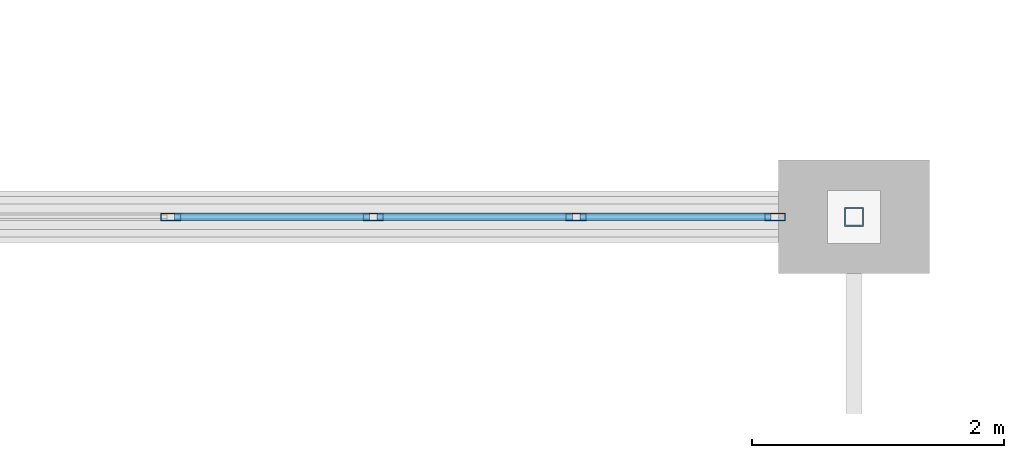
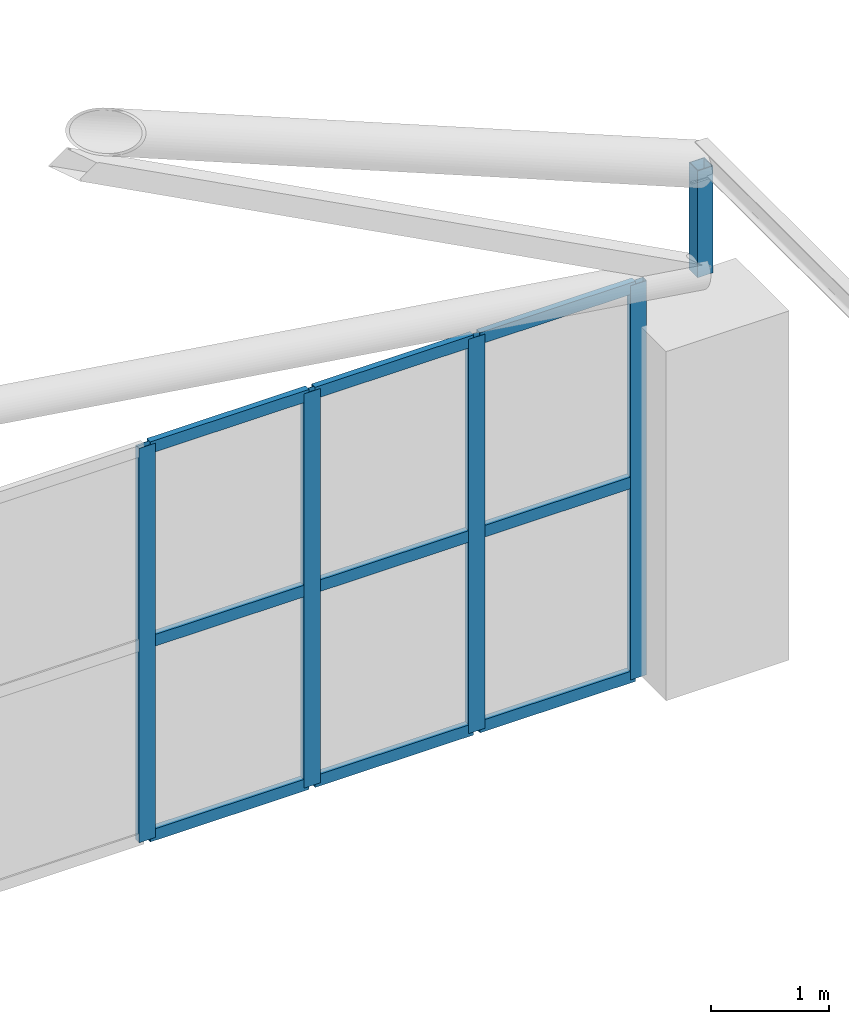
# One storey, part 116 of 167: 14 members, 1 element without a shape of its own.
"""IFC4 building model written with IfcOpenShell, lengths in metres."""

from ifc_helpers import new_model, si_unit, direction, frame, origin, origin_2d, place, context, subcontext, project, spatial, hollow_rectangle, extrude, material, layer, layer_set, material_profile, profile_set, type_object, element, aggregate, save


model = new_model("IFC4")

# Units and contexts
model_context = context("Model", 3, precision=1e-05, world=origin(), true_north=direction((0.0, 1.0)))
body_context = subcontext(model_context, "Body", "Model", "MODEL_VIEW")
ifc_project = project(units=[si_unit("LENGTHUNIT", "METRE"), si_unit("AREAUNIT", "SQUARE_METRE"), si_unit("VOLUMEUNIT", "CUBIC_METRE"), si_unit("PLANEANGLEUNIT", "RADIAN"), si_unit("MASSUNIT", "GRAM", prefix="KILO")], contexts=[model_context])

# Site, building, storey
site_placement = place(None, origin())
site = spatial("IfcSite", under=ifc_project, at=site_placement, CompositionType="ELEMENT")
building_placement = place(site_placement, origin())
building = spatial("IfcBuilding", under=site, at=building_placement, Name="Dornveld Trade and Exhibition Forum", CompositionType="ELEMENT")
storey_placement = place(building_placement, frame((0.0, 0.0, 16.800048828125)))
storey = spatial("IfcBuildingStorey", under=building, at=storey_placement, Name="L03", CompositionType="ELEMENT", Elevation=16.800048828125)

# Curtain wall, members
ifc_material_1 = material(Name="Dark-bronze anodised aluminium and low-E glass", Category="aluminium")
ifc_layer = layer(ifc_material_1, 0.159912109375)
ifc_layer_set = layer_set([ifc_layer], Name="Dark-bronze anodised aluminium and low-E glass")
curtain_wall_type = type_object("IfcCurtainWallType", Name="CW-SYS-06", PredefinedType="USERDEFINED", material=ifc_layer_set)
curtain_wall_placement = place(storey_placement, origin())
curtain_wall = element("IfcCurtainWall", 1, at=curtain_wall_placement, inside=storey, type_object=curtain_wall_type, Name="L03 unitised curtain wall 42", ObjectType="UNITISED_CURTAIN_WALL", PredefinedType="USERDEFINED")
ifc_material_2 = material(Name="Dark-bronze anodised aluminium", Category="aluminium")
ifc_material_profile_1 = material_profile(ifc_material_2, hollow_rectangle(XDim=0.06005859375, YDim=0.159912109375, WallThickness=0.00390625, at=origin_2d()), Name="RHS 160x60x4")
ifc_profile_set_1 = profile_set([ifc_material_profile_1], Name="Dark-bronze anodised aluminium")
member_type_1 = type_object("IfcMemberType", Name="CW-MUL-160", PredefinedType="MULLION", material=ifc_profile_set_1)
member_1_placement = place(storey_placement, frame((80.3740234375, 135.0, -0.004150390625), z_axis=(0.0, 0.0, 1.0), x_axis=(0.0, -1.0, 0.0)))
member_1 = element("IfcMember", 2, at=member_1_placement, type_object=member_type_1, Name="CW-06 mullion 1", PredefinedType="MULLION", context=body_context, shape_type="SweptSolid", body=[
    extrude(hollow_rectangle(XDim=0.06005859375, YDim=0.159912109375, WallThickness=0.00390625, at=origin_2d()), origin(), (0.0, 0.0, 1.0), 4.064208984375),
])
member_2_placement = place(storey_placement, frame((78.79736328125, 135.0, -0.004150390625), z_axis=(0.0, 0.0, 1.0), x_axis=(0.0, -1.0, 0.0)))
member_2 = element("IfcMember", 3, at=member_2_placement, type_object=member_type_1, Name="CW-06 mullion 2", PredefinedType="MULLION", context=body_context, shape_type="SweptSolid", body=[
    extrude(hollow_rectangle(XDim=0.06005859375, YDim=0.159912109375, WallThickness=0.00390625, at=origin_2d()), origin(), (0.0, 0.0, 1.0), 4.064208984375),
])
member_3_placement = place(storey_placement, frame((77.19091796875, 135.0, -0.004150390625), z_axis=(0.0, 0.0, 1.0), x_axis=(0.0, -1.0, 0.0)))
member_3 = element("IfcMember", 4, at=member_3_placement, type_object=member_type_1, Name="CW-06 mullion 3", PredefinedType="MULLION", context=body_context, shape_type="SweptSolid", body=[
    extrude(hollow_rectangle(XDim=0.06005859375, YDim=0.159912109375, WallThickness=0.00390625, at=origin_2d()), origin(), (0.0, 0.0, 1.0), 4.064208984375),
])
member_4_placement = place(storey_placement, frame((75.584228515625, 135.0, -0.004150390625), z_axis=(0.0, 0.0, 1.0), x_axis=(0.0, -1.0, 0.0)))
member_4 = element("IfcMember", 5, at=member_4_placement, type_object=member_type_1, Name="CW-06 mullion 4", PredefinedType="MULLION", context=body_context, shape_type="SweptSolid", body=[
    extrude(hollow_rectangle(XDim=0.06005859375, YDim=0.159912109375, WallThickness=0.00390625, at=origin_2d()), origin(), (0.0, 0.0, 1.0), 4.064208984375),
])
ifc_material_3 = material(Name="Dark-bronze anodised aluminium", Category="aluminium")
ifc_material_profile_2 = material_profile(ifc_material_3, hollow_rectangle(XDim=0.06005859375, YDim=0.1201171875, WallThickness=0.00390625, at=origin_2d()), Name="RHS 120x60x4")
ifc_profile_set_2 = profile_set([ifc_material_profile_2], Name="Dark-bronze anodised aluminium")
member_type_2 = type_object("IfcMemberType", Name="CW-TRN-120", PredefinedType="USERDEFINED", material=ifc_profile_set_2)
member_5_placement = place(storey_placement, frame((80.343994140625, 135.0, 0.02587890625), z_axis=(-1.0, 0.0, 0.0), x_axis=(0.0, -1.0, 0.0)))
member_5 = element("IfcMember", 6, at=member_5_placement, type_object=member_type_2, Name="CW-06 transom 1.1", ObjectType="TRANSOM", PredefinedType="USERDEFINED", context=body_context, shape_type="SweptSolid", body=[
    extrude(hollow_rectangle(XDim=0.06005859375, YDim=0.1201171875, WallThickness=0.00390625, at=origin_2d()), origin(), (0.0, 0.0, 1.0), 1.5166015625),
])
member_6_placement = place(storey_placement, frame((80.343994140625, 135.0, 2.02783203125), z_axis=(-1.0, 0.0, 0.0), x_axis=(0.0, -1.0, 0.0)))
member_6 = element("IfcMember", 7, at=member_6_placement, type_object=member_type_2, Name="CW-06 transom 1.2", ObjectType="TRANSOM", PredefinedType="USERDEFINED", context=body_context, shape_type="SweptSolid", body=[
    extrude(hollow_rectangle(XDim=0.06005859375, YDim=0.1201171875, WallThickness=0.00390625, at=origin_2d()), origin(), (0.0, 0.0, 1.0), 1.5166015625),
])
member_7_placement = place(storey_placement, frame((80.343994140625, 135.0, 4.030029296875), z_axis=(-1.0, 0.0, 0.0), x_axis=(0.0, -1.0, 0.0)))
member_7 = element("IfcMember", 8, at=member_7_placement, type_object=member_type_2, Name="CW-06 transom 1.3", ObjectType="TRANSOM", PredefinedType="USERDEFINED", context=body_context, shape_type="SweptSolid", body=[
    extrude(hollow_rectangle(XDim=0.06005859375, YDim=0.1201171875, WallThickness=0.00390625, at=origin_2d()), origin(), (0.0, 0.0, 1.0), 1.5166015625),
])
member_8_placement = place(storey_placement, frame((78.767333984375, 135.0, 0.02587890625), z_axis=(-1.0, 0.0, 0.0), x_axis=(0.0, -1.0, 0.0)))
member_8 = element("IfcMember", 9, at=member_8_placement, type_object=member_type_2, Name="CW-06 transom 2.1", ObjectType="TRANSOM", PredefinedType="USERDEFINED", context=body_context, shape_type="SweptSolid", body=[
    extrude(hollow_rectangle(XDim=0.06005859375, YDim=0.1201171875, WallThickness=0.00390625, at=origin_2d()), origin(), (0.0, 0.0, 1.0), 1.546630859375),
])
member_9_placement = place(storey_placement, frame((78.767333984375, 135.0, 2.02783203125), z_axis=(-1.0, 0.0, 0.0), x_axis=(0.0, -1.0, 0.0)))
member_9 = element("IfcMember", 10, at=member_9_placement, type_object=member_type_2, Name="CW-06 transom 2.2", ObjectType="TRANSOM", PredefinedType="USERDEFINED", context=body_context, shape_type="SweptSolid", body=[
    extrude(hollow_rectangle(XDim=0.06005859375, YDim=0.1201171875, WallThickness=0.00390625, at=origin_2d()), origin(), (0.0, 0.0, 1.0), 1.546630859375),
])
member_10_placement = place(storey_placement, frame((78.767333984375, 135.0, 4.030029296875), z_axis=(-1.0, 0.0, 0.0), x_axis=(0.0, -1.0, 0.0)))
member_10 = element("IfcMember", 11, at=member_10_placement, type_object=member_type_2, Name="CW-06 transom 2.3", ObjectType="TRANSOM", PredefinedType="USERDEFINED", context=body_context, shape_type="SweptSolid", body=[
    extrude(hollow_rectangle(XDim=0.06005859375, YDim=0.1201171875, WallThickness=0.00390625, at=origin_2d()), origin(), (0.0, 0.0, 1.0), 1.546630859375),
])
member_11_placement = place(storey_placement, frame((77.160888671875, 135.0, 0.02587890625), z_axis=(-1.0, 0.0, 0.0), x_axis=(0.0, -1.0, 0.0)))
member_11 = element("IfcMember", 12, at=member_11_placement, type_object=member_type_2, Name="CW-06 transom 3.1", ObjectType="TRANSOM", PredefinedType="USERDEFINED", context=body_context, shape_type="SweptSolid", body=[
    extrude(hollow_rectangle(XDim=0.06005859375, YDim=0.1201171875, WallThickness=0.00390625, at=origin_2d()), origin(), (0.0, 0.0, 1.0), 1.546630859375),
])
member_12_placement = place(storey_placement, frame((77.160888671875, 135.0, 2.02783203125), z_axis=(-1.0, 0.0, 0.0), x_axis=(0.0, -1.0, 0.0)))
member_12 = element("IfcMember", 13, at=member_12_placement, type_object=member_type_2, Name="CW-06 transom 3.2", ObjectType="TRANSOM", PredefinedType="USERDEFINED", context=body_context, shape_type="SweptSolid", body=[
    extrude(hollow_rectangle(XDim=0.06005859375, YDim=0.1201171875, WallThickness=0.00390625, at=origin_2d()), origin(), (0.0, 0.0, 1.0), 1.546630859375),
])
member_13_placement = place(storey_placement, frame((77.160888671875, 135.0, 4.030029296875), z_axis=(-1.0, 0.0, 0.0), x_axis=(0.0, -1.0, 0.0)))
member_13 = element("IfcMember", 14, at=member_13_placement, type_object=member_type_2, Name="CW-06 transom 3.3", ObjectType="TRANSOM", PredefinedType="USERDEFINED", context=body_context, shape_type="SweptSolid", body=[
    extrude(hollow_rectangle(XDim=0.06005859375, YDim=0.1201171875, WallThickness=0.00390625, at=origin_2d()), origin(), (0.0, 0.0, 1.0), 1.546630859375),
])
aggregate(curtain_wall, [member_1, member_2, member_3, member_4, member_5, member_6, member_7, member_8, member_9, member_10, member_11, member_12, member_13])

# Member
ifc_material_4 = material(Name="Steel S355J2", Category="steel")
ifc_material_profile_3 = material_profile(ifc_material_4, hollow_rectangle(XDim=0.14990234375, YDim=0.14990234375, WallThickness=0.008056640625, at=origin_2d()), Name="SHS 150x150x8")
ifc_profile_set_3 = profile_set([ifc_material_profile_3], Name="Steel S355J2")
member_type_3 = type_object("IfcMemberType", Name="MEM-ARCH-STR", PredefinedType="STRUT", material=ifc_profile_set_3)
member_14_placement = place(storey_placement, frame((81.0, 135.0, 3.949951171875), z_axis=(0.0, 0.0, 1.0), x_axis=(1.0, 0.0, 0.0)))
element("IfcMember", 15, at=member_14_placement, inside=storey, type_object=member_type_3, Name="H3 truss 12 end strut", PredefinedType="STRUT", context=body_context, shape_type="SweptSolid", body=[
    extrude(hollow_rectangle(XDim=0.14990234375, YDim=0.14990234375, WallThickness=0.008056640625, at=origin_2d()), origin(), (0.0, 0.0, 1.0), 1.10009765625),
])

save(model, "model.ifc")
